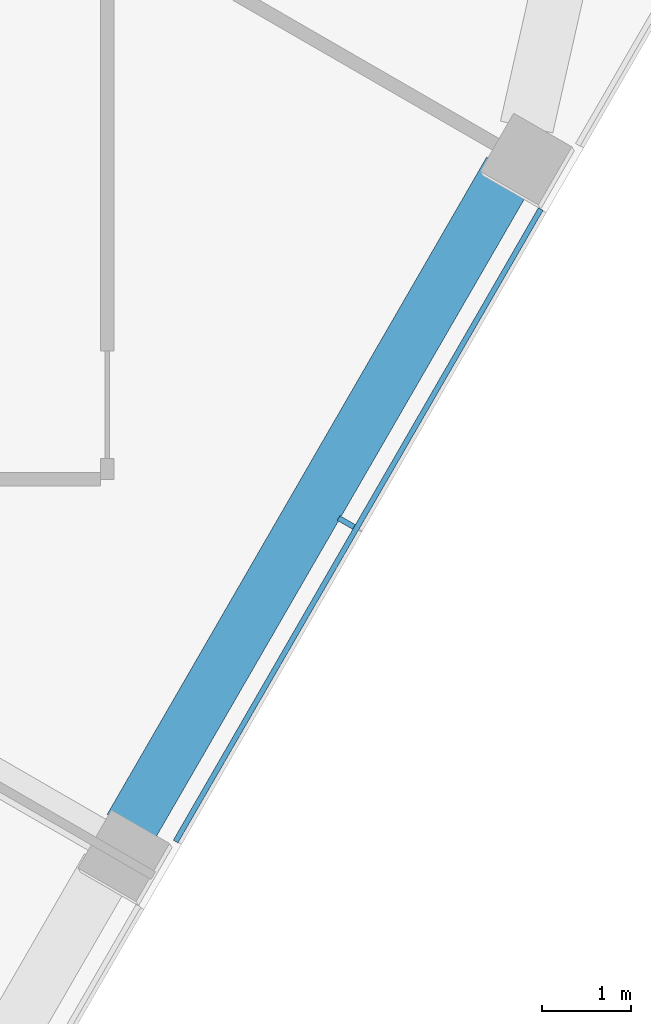
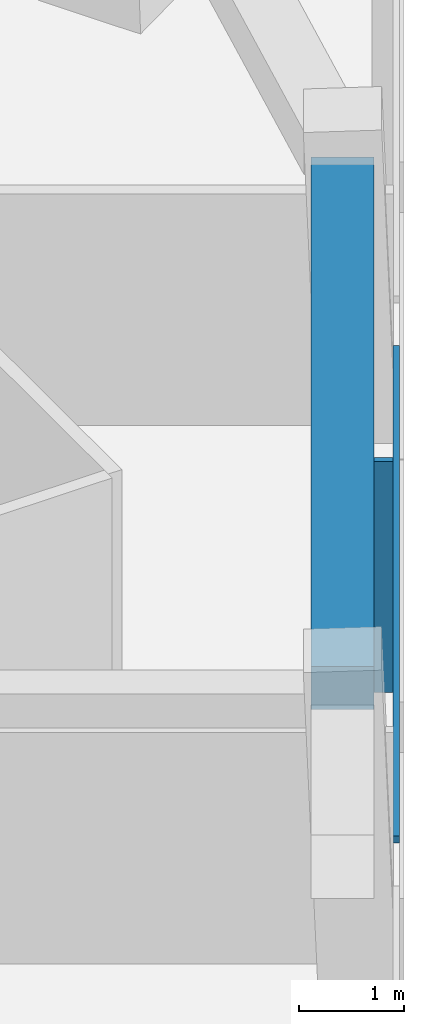
# One storey, part 4 of 12: 2 members, 1 beam, 1 element without a shape of its own.
"""IFC4 building model written with IfcOpenShell, lengths in metres."""

import ifcopenshell
import ifcopenshell.guid

model = None  # the IFC model being written
_history = None  # IfcOwnerHistory: only IFC2X3 demands one
_inside = {}  # id of a spatial element -> (the spatial element, [elements in it])
_under = {}  # id of a project, library or spatial element -> (it, [spatial elements below it])
_declared = {}  # id of a project -> (the project, [libraries it declares])
_typed = {}  # id of a type object -> (the type object, [elements of that type])
_made_of = {}  # id of a material, layer set ... -> (it, [elements and type objects made of it])


def new_model(schema):
    """Start an empty IFC model of exactly this schema.

    Asked for "IFC4X3", IfcOpenShell would pick the latest addendum, in which some entities
    have other attributes; the version numbers below select the first issue.
    IFC2X3 requires an IfcOwnerHistory on every rooted entity: one is made here for all.
    """
    global model, _history
    if schema == "IFC4X3":
        model = ifcopenshell.file(schema_version=(4, 3, 0, 0))
    else:
        model = ifcopenshell.file(schema=schema)
    _inside.clear()
    _under.clear()
    _declared.clear()
    _typed.clear()
    _made_of.clear()
    _history = None
    if model.schema == "IFC2X3":
        org = make("IfcOrganization", Name="unknown")
        user = make(
            "IfcPersonAndOrganization",
            ThePerson=make("IfcPerson", FamilyName="unknown"),
            TheOrganization=org,
        )
        app = make(
            "IfcApplication",
            ApplicationDeveloper=org,
            Version="unknown",
            ApplicationFullName="unknown",
            ApplicationIdentifier="unknown",
        )
        _history = make(
            "IfcOwnerHistory",
            OwningUser=user,
            OwningApplication=app,
            ChangeAction="ADDED",
            CreationDate=0,
        )
    return model


def make(cls, **values):
    """One entity of the class cls with the attributes given. An attribute that is None is left unset."""
    return model.create_entity(
        cls, **{name: value for name, value in values.items() if value is not None}
    )


def rooted(cls, **values):
    """An entity with a GlobalId (a new one), such as an element, a storey or a relation."""
    return make(cls, GlobalId=ifcopenshell.guid.new(), OwnerHistory=_history, **values)


def si_unit(unit_type, name, prefix=None):
    """IfcSIUnit, for example si_unit("LENGTHUNIT", "METRE", prefix="MILLI")."""
    return make("IfcSIUnit", UnitType=unit_type, Prefix=prefix, Name=name)


def assignment(units):
    """IfcUnitAssignment: the units of a project."""
    return None if units is None else make("IfcUnitAssignment", Units=units)


def point(xyz):
    """IfcCartesianPoint."""
    return None if xyz is None else make("IfcCartesianPoint", Coordinates=xyz)


def direction(xyz):
    """IfcDirection."""
    return None if xyz is None else make("IfcDirection", DirectionRatios=xyz)


def frame(location, z_axis=None, x_axis=None):
    """IfcAxis2Placement3D, a coordinate frame: its origin and axes. An axis left out is left unset."""
    return make(
        "IfcAxis2Placement3D",
        Location=point(location),
        Axis=direction(z_axis),
        RefDirection=direction(x_axis),
    )


def frame_2d(location, x_axis=None):
    """IfcAxis2Placement2D, a coordinate frame in the plane: its origin and x axis."""
    return make(
        "IfcAxis2Placement2D", Location=point(location), RefDirection=direction(x_axis)
    )


def origin():
    """The frame at (0, 0, 0) with its axes left unset."""
    return frame((0.0, 0.0, 0.0))


def origin_2d():
    """The frame at (0, 0) in the plane with its x axis left unset."""
    return frame_2d((0.0, 0.0))


def place(relative_to, where):
    """IfcLocalPlacement: puts the frame where relative to a parent placement (None: the world)."""
    return make(
        "IfcLocalPlacement", PlacementRelTo=relative_to, RelativePlacement=where
    )


def context(
    kind, dimensions, precision=None, world=None, true_north=None, identifier=None
):
    """IfcGeometricRepresentationContext, for example the 3D "Model" context."""
    return make(
        "IfcGeometricRepresentationContext",
        ContextIdentifier=identifier,
        ContextType=kind,
        CoordinateSpaceDimension=dimensions,
        Precision=precision,
        WorldCoordinateSystem=world,
        TrueNorth=true_north,
    )


def subcontext(parent, identifier, kind, view, scale=None):
    """IfcGeometricRepresentationSubContext, for example "Body" below "Model"."""
    return make(
        "IfcGeometricRepresentationSubContext",
        ContextIdentifier=identifier,
        ContextType=kind,
        ParentContext=parent,
        TargetScale=scale,
        TargetView=view,
    )


def project(units=None, contexts=None):
    """IfcProject with its units and contexts."""
    return rooted(
        "IfcProject",
        Name="project",
        RepresentationContexts=contexts,
        UnitsInContext=assignment(units),
    )


def spatial(cls, under=None, at=None, **own):
    """A site, building, storey or space (cls), placed at a placement, below another one or the project."""
    s = rooted(cls, ObjectPlacement=at, **own)
    if under is not None:
        _under.setdefault(under.id(), (under, []))[1].append(s)
    return s


def profile(cls, at=None, kind="AREA", **sizes):
    """A parametric profile (cls). Its sizes go by their IFC names, for example OverallWidth=200.0."""
    return make(cls, ProfileType=kind, Position=at, **sizes)


def rectangle(**sizes):
    """IfcRectangleProfileDef."""
    return profile("IfcRectangleProfileDef", **sizes)


def extrude(swept, where, along, depth):
    """IfcExtrudedAreaSolid: the profile swept, set in the frame where, extruded along a direction by depth."""
    return make(
        "IfcExtrudedAreaSolid",
        SweptArea=swept,
        Position=where,
        ExtrudedDirection=direction(along),
        Depth=depth,
    )


def shape(context_of_items, identifier, shape_type, items):
    """IfcShapeRepresentation: the items that make up one representation, for example the "Body"."""
    return make(
        "IfcShapeRepresentation",
        ContextOfItems=context_of_items,
        RepresentationIdentifier=identifier,
        RepresentationType=shape_type,
        Items=items,
    )


def material(Name=None, Category=None):
    """IfcMaterial."""
    return make("IfcMaterial", Name=Name, Category=Category)


def layer(
    of_material, thickness, ventilated=None, Name=None, Category=None, Priority=None
):
    """IfcMaterialLayer: one layer of a wall or slab, of a material (None: an air gap)."""
    return make(
        "IfcMaterialLayer",
        Material=of_material,
        LayerThickness=thickness,
        IsVentilated=ventilated,
        Name=Name,
        Category=Category,
        Priority=Priority,
    )


def layer_set(layers, Name=None):
    """IfcMaterialLayerSet."""
    return make("IfcMaterialLayerSet", MaterialLayers=layers, LayerSetName=Name)


def material_profile(
    of_material, cross_section, Name=None, Category=None, Priority=None
):
    """IfcMaterialProfile: a cross section and its material."""
    return make(
        "IfcMaterialProfile",
        Name=Name,
        Material=of_material,
        Profile=cross_section,
        Priority=Priority,
        Category=Category,
    )


def profile_set(profiles, Name=None, composite=None):
    """IfcMaterialProfileSet."""
    return make(
        "IfcMaterialProfileSet",
        Name=Name,
        MaterialProfiles=profiles,
        CompositeProfile=composite,
    )


def made_of(thing, what):
    """Note that an element or type object is made of a material, layer set ...; save() writes the relation."""
    if what is not None:
        _made_of.setdefault(what.id(), (what, []))[1].append(thing)
    return thing


def type_object(cls, material=None, **own):
    """A type object (cls), such as IfcWallType, which elements share."""
    return made_of(rooted(cls, **own), material)


def element(
    cls,
    number,
    at=None,
    inside=None,
    cuts=None,
    type_object=None,
    material=None,
    context=None,
    identifier="Body",
    shape_type=None,
    held_by="IfcProductDefinitionShape",
    body=None,
    shapes=None,
    **own,
):
    """One element of the class cls, such as IfcWall. Its Tag is "e" and its number.

    at: its placement. inside: the storey or other place that contains it. cuts: it is an
    opening in that element (IfcRelVoidsElement). A single representation is given by context,
    identifier, shape_type and body (its items); several are given by shapes. held_by: the class
    of the entity that holds the representations. save() writes the other relations.
    """
    e = rooted(cls, Tag="e%d" % number, ObjectPlacement=at, **own)
    if body is not None:
        shapes = [shape(context, identifier, shape_type, body)]
    if shapes is not None:
        e.Representation = make(held_by, Representations=shapes)
    if inside is not None:
        _inside.setdefault(inside.id(), (inside, []))[1].append(e)
    if cuts is not None:
        rooted(
            "IfcRelVoidsElement", RelatingBuildingElement=cuts, RelatedOpeningElement=e
        )
    if type_object is not None:
        _typed.setdefault(type_object.id(), (type_object, []))[1].append(e)
    return made_of(e, material)


def aggregate(whole, parts):
    """IfcRelAggregates: a whole, such as a stair, and the parts it consists of."""
    return rooted("IfcRelAggregates", RelatingObject=whole, RelatedObjects=parts)


def save(model, path):
    """Write the relations noted so far, then the file.

    IfcRelAggregates (storeys below a building ...), IfcRelContainedInSpatialStructure (elements
    in a storey), IfcRelDefinesByType, IfcRelAssociatesMaterial and IfcRelDeclares: one each for
    every whole, place, type object, material and project.
    """
    for whole, parts in _under.values():
        aggregate(whole, parts)
    for where, things in _inside.values():
        rooted(
            "IfcRelContainedInSpatialStructure",
            RelatedElements=things,
            RelatingStructure=where,
        )
    for kind, things in _typed.values():
        rooted("IfcRelDefinesByType", RelatedObjects=things, RelatingType=kind)
    for what, things in _made_of.values():
        rooted("IfcRelAssociatesMaterial", RelatedObjects=things, RelatingMaterial=what)
    for by, libraries in _declared.values():
        rooted("IfcRelDeclares", RelatingContext=by, RelatedDefinitions=libraries)
    model.write(path)


model = new_model("IFC4")

# Units and contexts
model_context = context("Model", 3, precision=1e-05, world=origin(), true_north=direction((0.0, 1.0)))
body_context = subcontext(model_context, "Body", "Model", "MODEL_VIEW")
ifc_project = project(units=[si_unit("LENGTHUNIT", "METRE"), si_unit("AREAUNIT", "SQUARE_METRE"), si_unit("VOLUMEUNIT", "CUBIC_METRE"), si_unit("PLANEANGLEUNIT", "RADIAN"), si_unit("MASSUNIT", "GRAM", prefix="KILO")], contexts=[model_context])

# Site, building, storey
site_placement = place(None, origin())
site = spatial("IfcSite", under=ifc_project, at=site_placement, CompositionType="ELEMENT")
building_placement = place(site_placement, origin())
building = spatial("IfcBuilding", under=site, at=building_placement, Name="Altiplano Prism Tower", CompositionType="ELEMENT")
storey_placement = place(building_placement, frame((0.0, 0.0, 253.60009765625)))
storey = spatial("IfcBuildingStorey", under=building, at=storey_placement, Name="L65", CompositionType="ELEMENT", Elevation=253.60009765625)

# Curtain wall, members
ifc_material_1 = material(Name="Aluminium and glass", Category="aluminium")
ifc_layer = layer(ifc_material_1, 0.303955078125)
ifc_layer_set = layer_set([ifc_layer], Name="Aluminium and glass")
curtain_wall_type = type_object("IfcCurtainWallType", Name="CW2 lounge-band unitised glazing", PredefinedType="NOTDEFINED", material=ifc_layer_set)
curtain_wall_placement = place(storey_placement, origin())
curtain_wall = element("IfcCurtainWall", 1, at=curtain_wall_placement, inside=storey, type_object=curtain_wall_type, Name="CW2 curtain wall south-east face L65", PredefinedType="NOTDEFINED")
ifc_material_2 = material(Name="Aluminium", Category="aluminium")
ifc_material_profile_1 = material_profile(ifc_material_2, rectangle(XDim=0.199951171875, YDim=0.06005859375, at=origin_2d()), Name="CW2 mullion 60 x 200")
ifc_profile_set_1 = profile_set([ifc_material_profile_1], Name="Aluminium")
member_type_1 = type_object("IfcMemberType", Name="CW2 mullion 60 x 200", PredefinedType="MULLION", material=ifc_profile_set_1)
member_1_placement = place(storey_placement, frame((102.474853515625, 90.116943359375, 0.0), z_axis=(0.0, 0.0, 1.0), x_axis=(-0.866025402484, 0.500000002252, 0.0)))
member_1 = element("IfcMember", 2, at=member_1_placement, type_object=member_type_1, Name="CW2 mullion", PredefinedType="MULLION", context=body_context, shape_type="SweptSolid", body=[
    extrude(rectangle(XDim=0.199951171875, YDim=0.06005859375, at=origin_2d()), origin(), (0.0, 0.0, 1.0), 2.699951171875),
])
ifc_material_profile_2 = material_profile(ifc_material_2, rectangle(XDim=0.06005859375, YDim=0.080078125, at=origin_2d()), Name="CW2 transom 80 x 60")
ifc_profile_set_2 = profile_set([ifc_material_profile_2], Name="Aluminium")
member_type_2 = type_object("IfcMemberType", Name="CW2 transom 80 x 60", PredefinedType="USERDEFINED", material=ifc_profile_set_2)
member_2_placement = place(storey_placement, frame((100.56494140625, 86.548583984375, 1.099853515625), z_axis=(0.499986310131, 0.86603330749, 0.0), x_axis=(-0.86603330749, 0.499986310131, 0.0)))
member_2 = element("IfcMember", 3, at=member_2_placement, type_object=member_type_2, Name="CW2 transom", ObjectType="TRANSOM", PredefinedType="USERDEFINED", context=body_context, shape_type="SweptSolid", body=[
    extrude(rectangle(XDim=0.06005859375, YDim=0.080078125, at=origin_2d()), origin(), (0.0, 0.0, 1.0), 8.169677734375),
])
aggregate(curtain_wall, [member_1, member_2])

# Beam
ifc_material_3 = material(Name="Concrete C60/75", Category="concrete")
ifc_material_profile_3 = material_profile(ifc_material_3, rectangle(XDim=0.60009765625, YDim=0.5, at=origin_2d()), Name="Edge beam 600x500")
ifc_profile_set_3 = profile_set([ifc_material_profile_3], Name="Concrete C60/75")
beam_type = type_object("IfcBeamType", Name="Edge beam 600x500", PredefinedType="SPANDREL", material=ifc_profile_set_3)
beam_placement = place(storey_placement, frame((100.059326171875, 86.7021484375, 2.949951171875), z_axis=(0.500011199594, 0.866018937599, 0.0), x_axis=(-0.866018937599, 0.500011199594, 0.0)))
element("IfcBeam", 4, at=beam_placement, inside=storey, type_object=beam_type, Name="Edge beam P23-P24 L66", PredefinedType="SPANDREL", context=body_context, shape_type="SweptSolid", body=[
    extrude(rectangle(XDim=0.60009765625, YDim=0.5, at=origin_2d()), origin(), (0.0, 0.0, 1.0), 8.489990234375),
])

save(model, "model.ifc")
